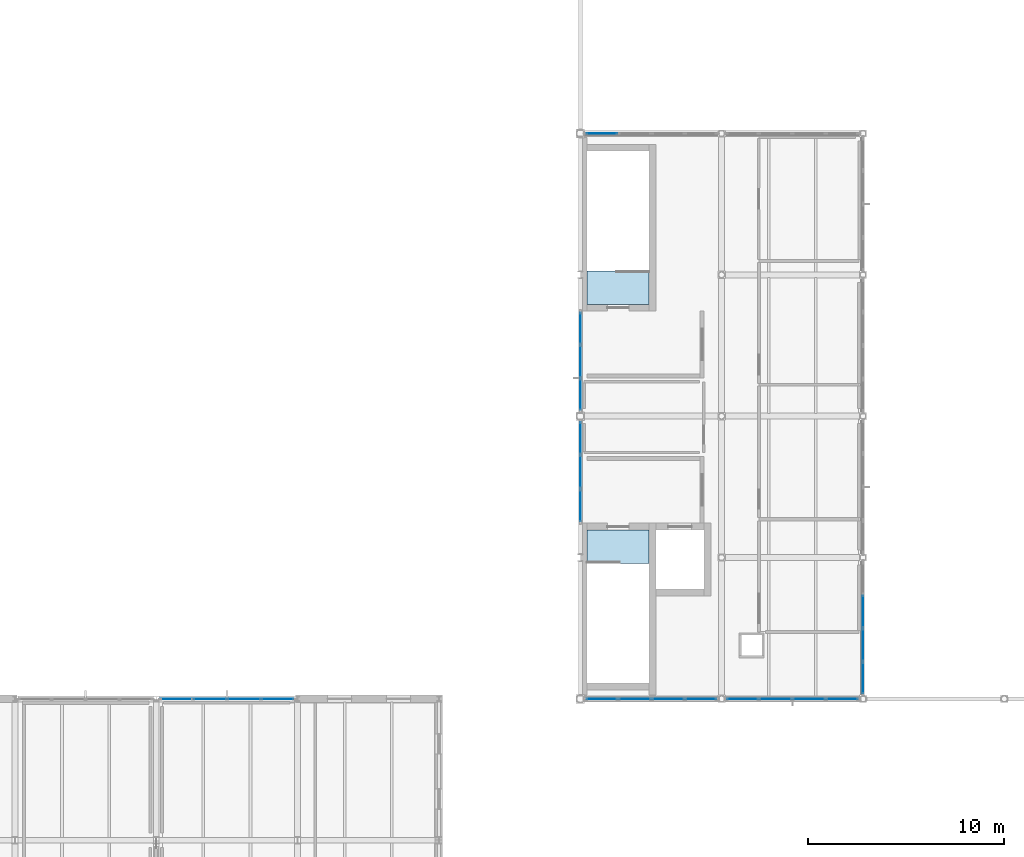
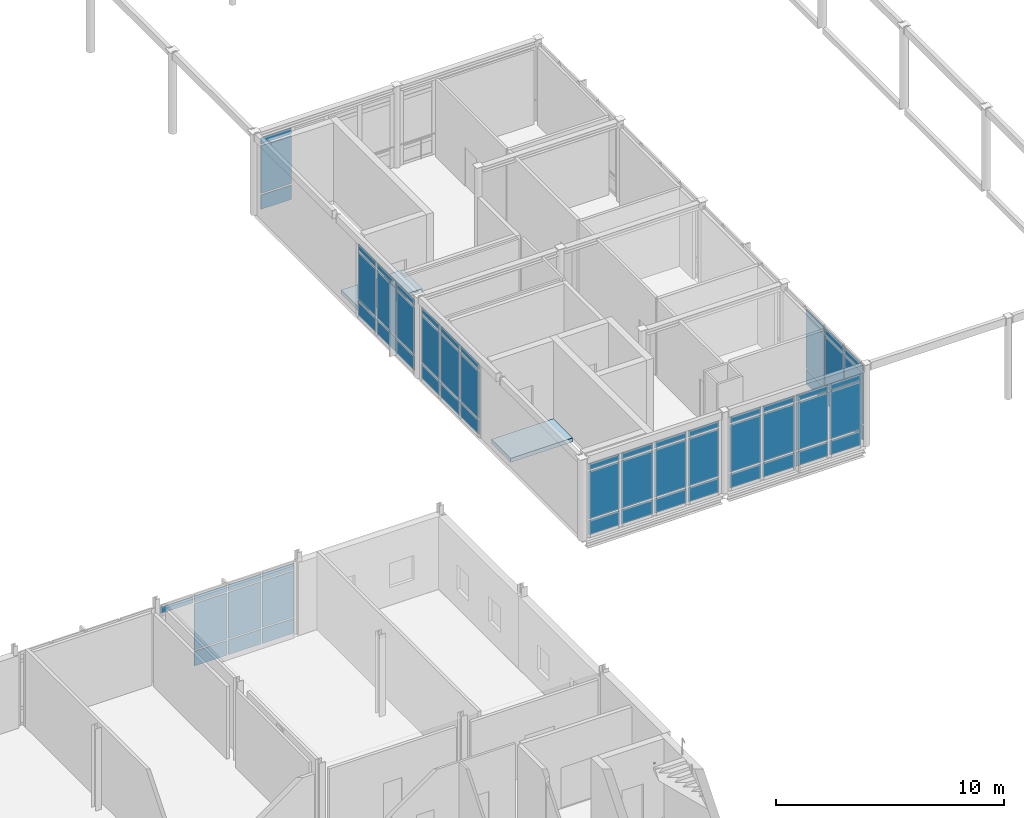
# One storey, part 37 of 72: 64 plates, 2 slabs, 7 elements without a shape of their own.
"""IFC4 building model written with IfcOpenShell, lengths in metres."""

from ifc_helpers import new_model, si_unit, direction, frame, origin, origin_2d, place, context, subcontext, project, spatial, polyline, rectangle, outline, extrude, material, layer, layer_set, type_object, element, aggregate, save


model = new_model("IFC4")

# Units and contexts
model_context = context("Model", 3, precision=1e-05, world=origin(), true_north=direction((0.0, 1.0)))
body_context = subcontext(model_context, "Body", "Model", "MODEL_VIEW")
ifc_project = project(units=[si_unit("LENGTHUNIT", "METRE"), si_unit("AREAUNIT", "SQUARE_METRE"), si_unit("VOLUMEUNIT", "CUBIC_METRE"), si_unit("PLANEANGLEUNIT", "RADIAN"), si_unit("MASSUNIT", "GRAM", prefix="KILO")], contexts=[model_context])

# Site, building, storey
site_placement = place(None, origin())
site = spatial("IfcSite", under=ifc_project, at=site_placement, CompositionType="ELEMENT")
building_placement = place(site_placement, origin())
building = spatial("IfcBuilding", under=site, at=building_placement, Name="Zarrinpeak Specialist Clinic", CompositionType="ELEMENT")
storey_placement = place(building_placement, frame((0.0, 0.0, 9.60009765625)))
storey = spatial("IfcBuildingStorey", under=building, at=storey_placement, Name="L02", CompositionType="ELEMENT", Elevation=9.60009765625)

# Curtain wall, plates
ifc_material_1 = material(Name="Anodised Aluminium Alloy 6063-T6", Category="aluminium")
ifc_layer_1 = layer(ifc_material_1, 0.199951171875)
ifc_layer_set_1 = layer_set([ifc_layer_1], Name="Anodised Aluminium Alloy 6063-T6")
curtain_wall_type_1 = type_object("IfcCurtainWallType", Name="CW-HALL", PredefinedType="NOTDEFINED", material=ifc_layer_set_1)
curtain_wall_1_placement = place(storey_placement, origin())
curtain_wall_1 = element("IfcCurtainWall", 1, at=curtain_wall_1_placement, inside=storey, type_object=curtain_wall_type_1, Name="L02 V3 Unitised Curtain Wall CW-L02-V3-111", PredefinedType="NOTDEFINED")
ifc_material_2 = material(Name="Double Low-E Insulated Glazing", Category="glass")
ifc_layer_2 = layer(ifc_material_2, 0.028076171875)
ifc_layer_set_2 = layer_set([ifc_layer_2], Name="Double Low-E Insulated Glazing")
plate_type_1 = type_object("IfcPlateType", Name="CWP-GLZ28", PredefinedType="CURTAIN_PANEL", material=ifc_layer_set_2)
plate_1_placement = place(storey_placement, frame((94.69873046875, 28.800048828125, 0.08984375), z_axis=(0.0, 0.0, 1.0), x_axis=(1.0, 0.0, 0.0)))
plate_1 = element("IfcPlate", 2, at=plate_1_placement, type_object=plate_type_1, Name="CW-02 panel 1.1", PredefinedType="CURTAIN_PANEL", context=body_context, shape_type="SweptSolid", body=[
    extrude(rectangle(XDim=1.561279296875, YDim=0.028076171875, at=origin_2d()), origin(), (0.0, 0.0, 1.0), 0.764892578125),
])
plate_2_placement = place(storey_placement, frame((94.69873046875, 28.800048828125, 0.94482421875), z_axis=(0.0, 0.0, 1.0), x_axis=(1.0, 0.0, 0.0)))
plate_2 = element("IfcPlate", 3, at=plate_2_placement, type_object=plate_type_1, Name="CW-02 panel 1.2", PredefinedType="CURTAIN_PANEL", context=body_context, shape_type="SweptSolid", body=[
    extrude(rectangle(XDim=1.561279296875, YDim=0.028076171875, at=origin_2d()), origin(), (0.0, 0.0, 1.0), 2.544921875),
])
plate_3_placement = place(storey_placement, frame((94.69873046875, 28.800048828125, 3.579833984375), z_axis=(0.0, 0.0, 1.0), x_axis=(1.0, 0.0, 0.0)))
plate_3 = element("IfcPlate", 4, at=plate_3_placement, type_object=plate_type_1, Name="CW-02 panel 1.3", PredefinedType="CURTAIN_PANEL", context=body_context, shape_type="SweptSolid", body=[
    extrude(rectangle(XDim=1.561279296875, YDim=0.028076171875, at=origin_2d()), origin(), (0.0, 0.0, 1.0), 0.31494140625),
])
plate_4_placement = place(storey_placement, frame((96.37255859375, 28.800048828125, 0.08984375), z_axis=(0.0, 0.0, 1.0), x_axis=(1.0, 0.0, 0.0)))
plate_4 = element("IfcPlate", 5, at=plate_4_placement, type_object=plate_type_1, Name="CW-02 panel 2.1", PredefinedType="CURTAIN_PANEL", context=body_context, shape_type="SweptSolid", body=[
    extrude(rectangle(XDim=1.606201171875, YDim=0.028076171875, at=origin_2d()), origin(), (0.0, 0.0, 1.0), 0.764892578125),
])
plate_5_placement = place(storey_placement, frame((96.37255859375, 28.800048828125, 0.94482421875), z_axis=(0.0, 0.0, 1.0), x_axis=(1.0, 0.0, 0.0)))
plate_5 = element("IfcPlate", 6, at=plate_5_placement, type_object=plate_type_1, Name="CW-02 panel 2.2", PredefinedType="CURTAIN_PANEL", context=body_context, shape_type="SweptSolid", body=[
    extrude(rectangle(XDim=1.606201171875, YDim=0.028076171875, at=origin_2d()), origin(), (0.0, 0.0, 1.0), 2.544921875),
])
plate_6_placement = place(storey_placement, frame((96.37255859375, 28.800048828125, 3.579833984375), z_axis=(0.0, 0.0, 1.0), x_axis=(1.0, 0.0, 0.0)))
plate_6 = element("IfcPlate", 7, at=plate_6_placement, type_object=plate_type_1, Name="CW-02 panel 2.3", PredefinedType="CURTAIN_PANEL", context=body_context, shape_type="SweptSolid", body=[
    extrude(rectangle(XDim=1.606201171875, YDim=0.028076171875, at=origin_2d()), origin(), (0.0, 0.0, 1.0), 0.31494140625),
])
plate_7_placement = place(storey_placement, frame((98.06884765625, 28.800048828125, 0.08984375), z_axis=(0.0, 0.0, 1.0), x_axis=(1.0, 0.0, 0.0)))
plate_7 = element("IfcPlate", 8, at=plate_7_placement, type_object=plate_type_1, Name="CW-02 panel 3.1", PredefinedType="CURTAIN_PANEL", context=body_context, shape_type="SweptSolid", body=[
    extrude(rectangle(XDim=1.606201171875, YDim=0.028076171875, at=origin_2d()), origin(), (0.0, 0.0, 1.0), 0.764892578125),
])
plate_8_placement = place(storey_placement, frame((98.06884765625, 28.800048828125, 0.94482421875), z_axis=(0.0, 0.0, 1.0), x_axis=(1.0, 0.0, 0.0)))
plate_8 = element("IfcPlate", 9, at=plate_8_placement, type_object=plate_type_1, Name="CW-02 panel 3.2", PredefinedType="CURTAIN_PANEL", context=body_context, shape_type="SweptSolid", body=[
    extrude(rectangle(XDim=1.606201171875, YDim=0.028076171875, at=origin_2d()), origin(), (0.0, 0.0, 1.0), 2.544921875),
])
plate_9_placement = place(storey_placement, frame((98.06884765625, 28.800048828125, 3.579833984375), z_axis=(0.0, 0.0, 1.0), x_axis=(1.0, 0.0, 0.0)))
plate_9 = element("IfcPlate", 10, at=plate_9_placement, type_object=plate_type_1, Name="CW-02 panel 3.3", PredefinedType="CURTAIN_PANEL", context=body_context, shape_type="SweptSolid", body=[
    extrude(rectangle(XDim=1.606201171875, YDim=0.028076171875, at=origin_2d()), origin(), (0.0, 0.0, 1.0), 0.31494140625),
])
plate_10_placement = place(storey_placement, frame((99.742431640625, 28.800048828125, 0.08984375), z_axis=(0.0, 0.0, 1.0), x_axis=(1.0, 0.0, 0.0)))
plate_10 = element("IfcPlate", 11, at=plate_10_placement, type_object=plate_type_1, Name="CW-02 panel 4.1", PredefinedType="CURTAIN_PANEL", context=body_context, shape_type="SweptSolid", body=[
    extrude(rectangle(XDim=1.561279296875, YDim=0.028076171875, at=origin_2d()), origin(), (0.0, 0.0, 1.0), 0.764892578125),
])
plate_11_placement = place(storey_placement, frame((99.742431640625, 28.800048828125, 0.94482421875), z_axis=(0.0, 0.0, 1.0), x_axis=(1.0, 0.0, 0.0)))
plate_11 = element("IfcPlate", 12, at=plate_11_placement, type_object=plate_type_1, Name="CW-02 panel 4.2", PredefinedType="CURTAIN_PANEL", context=body_context, shape_type="SweptSolid", body=[
    extrude(rectangle(XDim=1.561279296875, YDim=0.028076171875, at=origin_2d()), origin(), (0.0, 0.0, 1.0), 2.544921875),
])
plate_12_placement = place(storey_placement, frame((99.742431640625, 28.800048828125, 3.579833984375), z_axis=(0.0, 0.0, 1.0), x_axis=(1.0, 0.0, 0.0)))
plate_12 = element("IfcPlate", 13, at=plate_12_placement, type_object=plate_type_1, Name="CW-02 panel 4.3", PredefinedType="CURTAIN_PANEL", context=body_context, shape_type="SweptSolid", body=[
    extrude(rectangle(XDim=1.561279296875, YDim=0.028076171875, at=origin_2d()), origin(), (0.0, 0.0, 1.0), 0.31494140625),
])
aggregate(curtain_wall_1, [plate_1, plate_2, plate_3, plate_4, plate_5, plate_6, plate_7, plate_8, plate_9, plate_10, plate_11, plate_12])

curtain_wall_2_placement = place(storey_placement, origin())
curtain_wall_2 = element("IfcCurtainWall", 14, at=curtain_wall_2_placement, inside=storey, type_object=curtain_wall_type_1, Name="L02 V3 Unitised Curtain Wall CW-L02-V3-112", PredefinedType="NOTDEFINED")
plate_13_placement = place(storey_placement, frame((101.86279296875, 28.800048828125, 0.08984375), z_axis=(0.0, 0.0, 1.0), x_axis=(1.0, 0.0, 0.0)))
plate_13 = element("IfcPlate", 15, at=plate_13_placement, type_object=plate_type_1, Name="CW-02 panel 1.1", PredefinedType="CURTAIN_PANEL", context=body_context, shape_type="SweptSolid", body=[
    extrude(rectangle(XDim=1.571533203125, YDim=0.028076171875, at=origin_2d()), origin(), (0.0, 0.0, 1.0), 0.764892578125),
])
plate_14_placement = place(storey_placement, frame((101.86279296875, 28.800048828125, 0.94482421875), z_axis=(0.0, 0.0, 1.0), x_axis=(1.0, 0.0, 0.0)))
plate_14 = element("IfcPlate", 16, at=plate_14_placement, type_object=plate_type_1, Name="CW-02 panel 1.2", PredefinedType="CURTAIN_PANEL", context=body_context, shape_type="SweptSolid", body=[
    extrude(rectangle(XDim=1.571533203125, YDim=0.028076171875, at=origin_2d()), origin(), (0.0, 0.0, 1.0), 2.544921875),
])
plate_15_placement = place(storey_placement, frame((101.86279296875, 28.800048828125, 3.579833984375), z_axis=(0.0, 0.0, 1.0), x_axis=(1.0, 0.0, 0.0)))
plate_15 = element("IfcPlate", 17, at=plate_15_placement, type_object=plate_type_1, Name="CW-02 panel 1.3", PredefinedType="CURTAIN_PANEL", context=body_context, shape_type="SweptSolid", body=[
    extrude(rectangle(XDim=1.571533203125, YDim=0.028076171875, at=origin_2d()), origin(), (0.0, 0.0, 1.0), 0.31494140625),
])
plate_16_placement = place(storey_placement, frame((103.546630859375, 28.800048828125, 0.08984375), z_axis=(0.0, 0.0, 1.0), x_axis=(1.0, 0.0, 0.0)))
plate_16 = element("IfcPlate", 18, at=plate_16_placement, type_object=plate_type_1, Name="CW-02 panel 2.1", PredefinedType="CURTAIN_PANEL", context=body_context, shape_type="SweptSolid", body=[
    extrude(rectangle(XDim=1.616455078125, YDim=0.028076171875, at=origin_2d()), origin(), (0.0, 0.0, 1.0), 0.764892578125),
])
plate_17_placement = place(storey_placement, frame((103.546630859375, 28.800048828125, 0.94482421875), z_axis=(0.0, 0.0, 1.0), x_axis=(1.0, 0.0, 0.0)))
plate_17 = element("IfcPlate", 19, at=plate_17_placement, type_object=plate_type_1, Name="CW-02 panel 2.2", PredefinedType="CURTAIN_PANEL", context=body_context, shape_type="SweptSolid", body=[
    extrude(rectangle(XDim=1.616455078125, YDim=0.028076171875, at=origin_2d()), origin(), (0.0, 0.0, 1.0), 2.544921875),
])
plate_18_placement = place(storey_placement, frame((103.546630859375, 28.800048828125, 3.579833984375), z_axis=(0.0, 0.0, 1.0), x_axis=(1.0, 0.0, 0.0)))
plate_18 = element("IfcPlate", 20, at=plate_18_placement, type_object=plate_type_1, Name="CW-02 panel 2.3", PredefinedType="CURTAIN_PANEL", context=body_context, shape_type="SweptSolid", body=[
    extrude(rectangle(XDim=1.616455078125, YDim=0.028076171875, at=origin_2d()), origin(), (0.0, 0.0, 1.0), 0.31494140625),
])
plate_19_placement = place(storey_placement, frame((105.253173828125, 28.800048828125, 0.08984375), z_axis=(0.0, 0.0, 1.0), x_axis=(1.0, 0.0, 0.0)))
plate_19 = element("IfcPlate", 21, at=plate_19_placement, type_object=plate_type_1, Name="CW-02 panel 3.1", PredefinedType="CURTAIN_PANEL", context=body_context, shape_type="SweptSolid", body=[
    extrude(rectangle(XDim=1.616455078125, YDim=0.028076171875, at=origin_2d()), origin(), (0.0, 0.0, 1.0), 0.764892578125),
])
plate_20_placement = place(storey_placement, frame((105.253173828125, 28.800048828125, 0.94482421875), z_axis=(0.0, 0.0, 1.0), x_axis=(1.0, 0.0, 0.0)))
plate_20 = element("IfcPlate", 22, at=plate_20_placement, type_object=plate_type_1, Name="CW-02 panel 3.2", PredefinedType="CURTAIN_PANEL", context=body_context, shape_type="SweptSolid", body=[
    extrude(rectangle(XDim=1.616455078125, YDim=0.028076171875, at=origin_2d()), origin(), (0.0, 0.0, 1.0), 2.544921875),
])
plate_21_placement = place(storey_placement, frame((105.253173828125, 28.800048828125, 3.579833984375), z_axis=(0.0, 0.0, 1.0), x_axis=(1.0, 0.0, 0.0)))
plate_21 = element("IfcPlate", 23, at=plate_21_placement, type_object=plate_type_1, Name="CW-02 panel 3.3", PredefinedType="CURTAIN_PANEL", context=body_context, shape_type="SweptSolid", body=[
    extrude(rectangle(XDim=1.616455078125, YDim=0.028076171875, at=origin_2d()), origin(), (0.0, 0.0, 1.0), 0.31494140625),
])
plate_22_placement = place(storey_placement, frame((106.937255859375, 28.800048828125, 0.08984375), z_axis=(0.0, 0.0, 1.0), x_axis=(1.0, 0.0, 0.0)))
plate_22 = element("IfcPlate", 24, at=plate_22_placement, type_object=plate_type_1, Name="CW-02 panel 4.1", PredefinedType="CURTAIN_PANEL", context=body_context, shape_type="SweptSolid", body=[
    extrude(rectangle(XDim=1.571533203125, YDim=0.028076171875, at=origin_2d()), origin(), (0.0, 0.0, 1.0), 0.764892578125),
])
plate_23_placement = place(storey_placement, frame((106.937255859375, 28.800048828125, 0.94482421875), z_axis=(0.0, 0.0, 1.0), x_axis=(1.0, 0.0, 0.0)))
plate_23 = element("IfcPlate", 25, at=plate_23_placement, type_object=plate_type_1, Name="CW-02 panel 4.2", PredefinedType="CURTAIN_PANEL", context=body_context, shape_type="SweptSolid", body=[
    extrude(rectangle(XDim=1.571533203125, YDim=0.028076171875, at=origin_2d()), origin(), (0.0, 0.0, 1.0), 2.544921875),
])
plate_24_placement = place(storey_placement, frame((106.937255859375, 28.800048828125, 3.579833984375), z_axis=(0.0, 0.0, 1.0), x_axis=(1.0, 0.0, 0.0)))
plate_24 = element("IfcPlate", 26, at=plate_24_placement, type_object=plate_type_1, Name="CW-02 panel 4.3", PredefinedType="CURTAIN_PANEL", context=body_context, shape_type="SweptSolid", body=[
    extrude(rectangle(XDim=1.571533203125, YDim=0.028076171875, at=origin_2d()), origin(), (0.0, 0.0, 1.0), 0.31494140625),
])
aggregate(curtain_wall_2, [plate_13, plate_14, plate_15, plate_16, plate_17, plate_18, plate_19, plate_20, plate_21, plate_22, plate_23, plate_24])

curtain_wall_3_placement = place(storey_placement, origin())
curtain_wall_3 = element("IfcCurtainWall", 27, at=curtain_wall_3_placement, inside=storey, type_object=curtain_wall_type_1, Name="L02 V3 Unitised Curtain Wall CW-L02-V3-113", PredefinedType="NOTDEFINED")
plate_25_placement = place(storey_placement, frame((94.69873046875, 57.60009765625, 0.08984375), z_axis=(0.0, 0.0, 1.0), x_axis=(-1.0, 0.0, 0.0)))
plate_25 = element("IfcPlate", 28, at=plate_25_placement, type_object=plate_type_1, Name="CW-02 panel 4.1", PredefinedType="CURTAIN_PANEL", context=body_context, shape_type="SweptSolid", body=[
    extrude(rectangle(XDim=1.561279296875, YDim=0.028076171875, at=origin_2d()), origin(), (0.0, 0.0, 1.0), 0.764892578125),
])
plate_26_placement = place(storey_placement, frame((94.69873046875, 57.60009765625, 0.94482421875), z_axis=(0.0, 0.0, 1.0), x_axis=(-1.0, 0.0, 0.0)))
plate_26 = element("IfcPlate", 29, at=plate_26_placement, type_object=plate_type_1, Name="CW-02 panel 4.2", PredefinedType="CURTAIN_PANEL", context=body_context, shape_type="SweptSolid", body=[
    extrude(rectangle(XDim=1.561279296875, YDim=0.028076171875, at=origin_2d()), origin(), (0.0, 0.0, 1.0), 2.56494140625),
])
plate_27_placement = place(storey_placement, frame((94.69873046875, 57.60009765625, 3.599853515625), z_axis=(0.0, 0.0, 1.0), x_axis=(-1.0, 0.0, 0.0)))
plate_27 = element("IfcPlate", 30, at=plate_27_placement, type_object=plate_type_1, Name="CW-02 panel 4.3", PredefinedType="CURTAIN_PANEL", context=body_context, shape_type="SweptSolid", body=[
    extrude(rectangle(XDim=1.561279296875, YDim=0.028076171875, at=origin_2d()), origin(), (0.0, 0.0, 1.0), 0.31494140625),
])
aggregate(curtain_wall_3, [plate_25, plate_26, plate_27])

curtain_wall_4_placement = place(storey_placement, origin())
curtain_wall_4 = element("IfcCurtainWall", 31, at=curtain_wall_4_placement, inside=storey, type_object=curtain_wall_type_1, Name="L02 V3 Unitised Curtain Wall CW-L02-V3-115", PredefinedType="NOTDEFINED")
plate_28_placement = place(storey_placement, frame((93.60009765625, 42.0791015625, 0.08984375), z_axis=(0.0, 0.0, 1.0), x_axis=(0.0, -1.0, 0.0)))
plate_28 = element("IfcPlate", 32, at=plate_28_placement, type_object=plate_type_1, Name="CW-02 panel 1.1", PredefinedType="CURTAIN_PANEL", context=body_context, shape_type="SweptSolid", body=[
    extrude(rectangle(XDim=1.605712890625, YDim=0.028076171875, at=origin_2d()), origin(), (0.0, 0.0, 1.0), 0.764892578125),
])
plate_29_placement = place(storey_placement, frame((93.60009765625, 42.0791015625, 0.94482421875), z_axis=(0.0, 0.0, 1.0), x_axis=(0.0, -1.0, 0.0)))
plate_29 = element("IfcPlate", 33, at=plate_29_placement, type_object=plate_type_1, Name="CW-02 panel 1.2", PredefinedType="CURTAIN_PANEL", context=body_context, shape_type="SweptSolid", body=[
    extrude(rectangle(XDim=1.605712890625, YDim=0.028076171875, at=origin_2d()), origin(), (0.0, 0.0, 1.0), 2.544921875),
])
plate_30_placement = place(storey_placement, frame((93.60009765625, 42.0791015625, 3.579833984375), z_axis=(0.0, 0.0, 1.0), x_axis=(0.0, -1.0, 0.0)))
plate_30 = element("IfcPlate", 34, at=plate_30_placement, type_object=plate_type_1, Name="CW-02 panel 1.3", PredefinedType="CURTAIN_PANEL", context=body_context, shape_type="SweptSolid", body=[
    extrude(rectangle(XDim=1.605712890625, YDim=0.028076171875, at=origin_2d()), origin(), (0.0, 0.0, 1.0), 0.31494140625),
])
plate_31_placement = place(storey_placement, frame((93.60009765625, 40.36083984375, 0.08984375), z_axis=(0.0, 0.0, 1.0), x_axis=(0.0, -1.0, 0.0)))
plate_31 = element("IfcPlate", 35, at=plate_31_placement, type_object=plate_type_1, Name="CW-02 panel 2.1", PredefinedType="CURTAIN_PANEL", context=body_context, shape_type="SweptSolid", body=[
    extrude(rectangle(XDim=1.650634765625, YDim=0.028076171875, at=origin_2d()), origin(), (0.0, 0.0, 1.0), 0.764892578125),
])
plate_32_placement = place(storey_placement, frame((93.60009765625, 40.36083984375, 0.94482421875), z_axis=(0.0, 0.0, 1.0), x_axis=(0.0, -1.0, 0.0)))
plate_32 = element("IfcPlate", 36, at=plate_32_placement, type_object=plate_type_1, Name="CW-02 panel 2.2", PredefinedType="CURTAIN_PANEL", context=body_context, shape_type="SweptSolid", body=[
    extrude(rectangle(XDim=1.650634765625, YDim=0.028076171875, at=origin_2d()), origin(), (0.0, 0.0, 1.0), 2.544921875),
])
plate_33_placement = place(storey_placement, frame((93.60009765625, 40.36083984375, 3.579833984375), z_axis=(0.0, 0.0, 1.0), x_axis=(0.0, -1.0, 0.0)))
plate_33 = element("IfcPlate", 37, at=plate_33_placement, type_object=plate_type_1, Name="CW-02 panel 2.3", PredefinedType="CURTAIN_PANEL", context=body_context, shape_type="SweptSolid", body=[
    extrude(rectangle(XDim=1.650634765625, YDim=0.028076171875, at=origin_2d()), origin(), (0.0, 0.0, 1.0), 0.31494140625),
])
plate_34_placement = place(storey_placement, frame((93.60009765625, 38.642822265625, 0.08984375), z_axis=(0.0, 0.0, 1.0), x_axis=(0.0, -1.0, 0.0)))
plate_34 = element("IfcPlate", 38, at=plate_34_placement, type_object=plate_type_1, Name="CW-02 panel 3.1", PredefinedType="CURTAIN_PANEL", context=body_context, shape_type="SweptSolid", body=[
    extrude(rectangle(XDim=1.605712890625, YDim=0.028076171875, at=origin_2d()), origin(), (0.0, 0.0, 1.0), 0.764892578125),
])
plate_35_placement = place(storey_placement, frame((93.60009765625, 38.642822265625, 0.94482421875), z_axis=(0.0, 0.0, 1.0), x_axis=(0.0, -1.0, 0.0)))
plate_35 = element("IfcPlate", 39, at=plate_35_placement, type_object=plate_type_1, Name="CW-02 panel 3.2", PredefinedType="CURTAIN_PANEL", context=body_context, shape_type="SweptSolid", body=[
    extrude(rectangle(XDim=1.605712890625, YDim=0.028076171875, at=origin_2d()), origin(), (0.0, 0.0, 1.0), 2.544921875),
])
plate_36_placement = place(storey_placement, frame((93.60009765625, 38.642822265625, 3.579833984375), z_axis=(0.0, 0.0, 1.0), x_axis=(0.0, -1.0, 0.0)))
plate_36 = element("IfcPlate", 40, at=plate_36_placement, type_object=plate_type_1, Name="CW-02 panel 3.3", PredefinedType="CURTAIN_PANEL", context=body_context, shape_type="SweptSolid", body=[
    extrude(rectangle(XDim=1.605712890625, YDim=0.028076171875, at=origin_2d()), origin(), (0.0, 0.0, 1.0), 0.31494140625),
])
aggregate(curtain_wall_4, [plate_28, plate_29, plate_30, plate_31, plate_32, plate_33, plate_34, plate_35, plate_36])

curtain_wall_5_placement = place(storey_placement, origin())
curtain_wall_5 = element("IfcCurtainWall", 41, at=curtain_wall_5_placement, inside=storey, type_object=curtain_wall_type_1, Name="L02 V3 Unitised Curtain Wall CW-L02-V3-116", PredefinedType="NOTDEFINED")
plate_37_placement = place(storey_placement, frame((93.60009765625, 47.673828125, 0.08984375), z_axis=(0.0, 0.0, 1.0), x_axis=(0.0, -1.0, 0.0)))
plate_37 = element("IfcPlate", 42, at=plate_37_placement, type_object=plate_type_1, Name="CW-02 panel 1.1", PredefinedType="CURTAIN_PANEL", context=body_context, shape_type="SweptSolid", body=[
    extrude(rectangle(XDim=1.572265625, YDim=0.028076171875, at=origin_2d()), origin(), (0.0, 0.0, 1.0), 0.764892578125),
])
plate_38_placement = place(storey_placement, frame((93.60009765625, 47.673828125, 0.94482421875), z_axis=(0.0, 0.0, 1.0), x_axis=(0.0, -1.0, 0.0)))
plate_38 = element("IfcPlate", 43, at=plate_38_placement, type_object=plate_type_1, Name="CW-02 panel 1.2", PredefinedType="CURTAIN_PANEL", context=body_context, shape_type="SweptSolid", body=[
    extrude(rectangle(XDim=1.572265625, YDim=0.028076171875, at=origin_2d()), origin(), (0.0, 0.0, 1.0), 2.544921875),
])
plate_39_placement = place(storey_placement, frame((93.60009765625, 47.673828125, 3.579833984375), z_axis=(0.0, 0.0, 1.0), x_axis=(0.0, -1.0, 0.0)))
plate_39 = element("IfcPlate", 44, at=plate_39_placement, type_object=plate_type_1, Name="CW-02 panel 1.3", PredefinedType="CURTAIN_PANEL", context=body_context, shape_type="SweptSolid", body=[
    extrude(rectangle(XDim=1.572265625, YDim=0.028076171875, at=origin_2d()), origin(), (0.0, 0.0, 1.0), 0.31494140625),
])
plate_40_placement = place(storey_placement, frame((93.60009765625, 45.989013671875, 0.08984375), z_axis=(0.0, 0.0, 1.0), x_axis=(0.0, -1.0, 0.0)))
plate_40 = element("IfcPlate", 45, at=plate_40_placement, type_object=plate_type_1, Name="CW-02 panel 2.1", PredefinedType="CURTAIN_PANEL", context=body_context, shape_type="SweptSolid", body=[
    extrude(rectangle(XDim=1.6171875, YDim=0.028076171875, at=origin_2d()), origin(), (0.0, 0.0, 1.0), 0.764892578125),
])
plate_41_placement = place(storey_placement, frame((93.60009765625, 45.989013671875, 0.94482421875), z_axis=(0.0, 0.0, 1.0), x_axis=(0.0, -1.0, 0.0)))
plate_41 = element("IfcPlate", 46, at=plate_41_placement, type_object=plate_type_1, Name="CW-02 panel 2.2", PredefinedType="CURTAIN_PANEL", context=body_context, shape_type="SweptSolid", body=[
    extrude(rectangle(XDim=1.6171875, YDim=0.028076171875, at=origin_2d()), origin(), (0.0, 0.0, 1.0), 2.544921875),
])
plate_42_placement = place(storey_placement, frame((93.60009765625, 45.989013671875, 3.579833984375), z_axis=(0.0, 0.0, 1.0), x_axis=(0.0, -1.0, 0.0)))
plate_42 = element("IfcPlate", 47, at=plate_42_placement, type_object=plate_type_1, Name="CW-02 panel 2.3", PredefinedType="CURTAIN_PANEL", context=body_context, shape_type="SweptSolid", body=[
    extrude(rectangle(XDim=1.6171875, YDim=0.028076171875, at=origin_2d()), origin(), (0.0, 0.0, 1.0), 0.31494140625),
])
plate_43_placement = place(storey_placement, frame((93.60009765625, 44.304443359375, 0.08984375), z_axis=(0.0, 0.0, 1.0), x_axis=(0.0, -1.0, 0.0)))
plate_43 = element("IfcPlate", 48, at=plate_43_placement, type_object=plate_type_1, Name="CW-02 panel 3.1", PredefinedType="CURTAIN_PANEL", context=body_context, shape_type="SweptSolid", body=[
    extrude(rectangle(XDim=1.572265625, YDim=0.028076171875, at=origin_2d()), origin(), (0.0, 0.0, 1.0), 0.764892578125),
])
plate_44_placement = place(storey_placement, frame((93.60009765625, 44.304443359375, 0.94482421875), z_axis=(0.0, 0.0, 1.0), x_axis=(0.0, -1.0, 0.0)))
plate_44 = element("IfcPlate", 49, at=plate_44_placement, type_object=plate_type_1, Name="CW-02 panel 3.2", PredefinedType="CURTAIN_PANEL", context=body_context, shape_type="SweptSolid", body=[
    extrude(rectangle(XDim=1.572265625, YDim=0.028076171875, at=origin_2d()), origin(), (0.0, 0.0, 1.0), 2.544921875),
])
plate_45_placement = place(storey_placement, frame((93.60009765625, 44.304443359375, 3.579833984375), z_axis=(0.0, 0.0, 1.0), x_axis=(0.0, -1.0, 0.0)))
plate_45 = element("IfcPlate", 50, at=plate_45_placement, type_object=plate_type_1, Name="CW-02 panel 3.3", PredefinedType="CURTAIN_PANEL", context=body_context, shape_type="SweptSolid", body=[
    extrude(rectangle(XDim=1.572265625, YDim=0.028076171875, at=origin_2d()), origin(), (0.0, 0.0, 1.0), 0.31494140625),
])
aggregate(curtain_wall_5, [plate_37, plate_38, plate_39, plate_40, plate_41, plate_42, plate_43, plate_44, plate_45])

ifc_layer_3 = layer(ifc_material_1, 0.179931640625)
ifc_layer_set_3 = layer_set([ifc_layer_3], Name="Anodised Aluminium Alloy 6063-T6")
curtain_wall_type_2 = type_object("IfcCurtainWallType", Name="CW-COURT", PredefinedType="NOTDEFINED", material=ifc_layer_set_3)
curtain_wall_6_placement = place(storey_placement, origin())
curtain_wall_6 = element("IfcCurtainWall", 51, at=curtain_wall_6_placement, inside=storey, type_object=curtain_wall_type_2, Name="L02 V4 Unitised Curtain Wall CW-L02-V4-074", PredefinedType="NOTDEFINED")
ifc_material_3 = material(Name="Triple Acoustic Low-E Glazing", Category="glass")
ifc_layer_4 = layer(ifc_material_3, 0.035888671875)
ifc_layer_set_4 = layer_set([ifc_layer_4], Name="Triple Acoustic Low-E Glazing")
plate_type_2 = type_object("IfcPlateType", Name="CWP-GLZ36", PredefinedType="CURTAIN_PANEL", material=ifc_layer_set_4)
plate_46_placement = place(storey_placement, frame((78.172607421875, 28.800048828125, 0.074951171875), z_axis=(0.0, 0.0, 1.0), x_axis=(-1.0, 0.0, 0.0)))
plate_46 = element("IfcPlate", 52, at=plate_46_placement, type_object=plate_type_2, Name="CW-01 panel 1.1", PredefinedType="CURTAIN_PANEL", context=body_context, shape_type="SweptSolid", body=[
    extrude(rectangle(XDim=1.614990234375, YDim=0.035888671875, at=origin_2d()), origin(), (0.0, 0.0, 1.0), 0.78759765625),
])
plate_47_placement = place(storey_placement, frame((78.172607421875, 28.800048828125, 0.937255859375), z_axis=(0.0, 0.0, 1.0), x_axis=(-1.0, 0.0, 0.0)))
plate_47 = element("IfcPlate", 53, at=plate_47_placement, type_object=plate_type_2, Name="CW-01 panel 1.2", PredefinedType="CURTAIN_PANEL", context=body_context, shape_type="SweptSolid", body=[
    extrude(rectangle(XDim=1.614990234375, YDim=0.035888671875, at=origin_2d()), origin(), (0.0, 0.0, 1.0), 2.47509765625),
])
plate_48_placement = place(storey_placement, frame((78.172607421875, 28.800048828125, 3.487548828125), z_axis=(0.0, 0.0, 1.0), x_axis=(-1.0, 0.0, 0.0)))
plate_48 = element("IfcPlate", 54, at=plate_48_placement, type_object=plate_type_2, Name="CW-01 panel 1.3", PredefinedType="CURTAIN_PANEL", context=body_context, shape_type="SweptSolid", body=[
    extrude(rectangle(XDim=1.614990234375, YDim=0.035888671875, at=origin_2d()), origin(), (0.0, 0.0, 1.0), 0.33740234375),
])
plate_49_placement = place(storey_placement, frame((76.4638671875, 28.800048828125, 0.074951171875), z_axis=(0.0, 0.0, 1.0), x_axis=(-1.0, 0.0, 0.0)))
plate_49 = element("IfcPlate", 55, at=plate_49_placement, type_object=plate_type_2, Name="CW-01 panel 2.1", PredefinedType="CURTAIN_PANEL", context=body_context, shape_type="SweptSolid", body=[
    extrude(rectangle(XDim=1.652587890625, YDim=0.035888671875, at=origin_2d()), origin(), (0.0, 0.0, 1.0), 0.78759765625),
])
plate_50_placement = place(storey_placement, frame((76.4638671875, 28.800048828125, 0.937255859375), z_axis=(0.0, 0.0, 1.0), x_axis=(-1.0, 0.0, 0.0)))
plate_50 = element("IfcPlate", 56, at=plate_50_placement, type_object=plate_type_2, Name="CW-01 panel 2.2", PredefinedType="CURTAIN_PANEL", context=body_context, shape_type="SweptSolid", body=[
    extrude(rectangle(XDim=1.652587890625, YDim=0.035888671875, at=origin_2d()), origin(), (0.0, 0.0, 1.0), 2.47509765625),
])
plate_51_placement = place(storey_placement, frame((76.4638671875, 28.800048828125, 3.487548828125), z_axis=(0.0, 0.0, 1.0), x_axis=(-1.0, 0.0, 0.0)))
plate_51 = element("IfcPlate", 57, at=plate_51_placement, type_object=plate_type_2, Name="CW-01 panel 2.3", PredefinedType="CURTAIN_PANEL", context=body_context, shape_type="SweptSolid", body=[
    extrude(rectangle(XDim=1.652587890625, YDim=0.035888671875, at=origin_2d()), origin(), (0.0, 0.0, 1.0), 0.33740234375),
])
plate_52_placement = place(storey_placement, frame((74.736328125, 28.800048828125, 0.074951171875), z_axis=(0.0, 0.0, 1.0), x_axis=(-1.0, 0.0, 0.0)))
plate_52 = element("IfcPlate", 58, at=plate_52_placement, type_object=plate_type_2, Name="CW-01 panel 3.1", PredefinedType="CURTAIN_PANEL", context=body_context, shape_type="SweptSolid", body=[
    extrude(rectangle(XDim=1.652587890625, YDim=0.035888671875, at=origin_2d()), origin(), (0.0, 0.0, 1.0), 0.78759765625),
])
plate_53_placement = place(storey_placement, frame((74.736328125, 28.800048828125, 0.937255859375), z_axis=(0.0, 0.0, 1.0), x_axis=(-1.0, 0.0, 0.0)))
plate_53 = element("IfcPlate", 59, at=plate_53_placement, type_object=plate_type_2, Name="CW-01 panel 3.2", PredefinedType="CURTAIN_PANEL", context=body_context, shape_type="SweptSolid", body=[
    extrude(rectangle(XDim=1.652587890625, YDim=0.035888671875, at=origin_2d()), origin(), (0.0, 0.0, 1.0), 2.47509765625),
])
plate_54_placement = place(storey_placement, frame((74.736328125, 28.800048828125, 3.487548828125), z_axis=(0.0, 0.0, 1.0), x_axis=(-1.0, 0.0, 0.0)))
plate_54 = element("IfcPlate", 60, at=plate_54_placement, type_object=plate_type_2, Name="CW-01 panel 3.3", PredefinedType="CURTAIN_PANEL", context=body_context, shape_type="SweptSolid", body=[
    extrude(rectangle(XDim=1.652587890625, YDim=0.035888671875, at=origin_2d()), origin(), (0.0, 0.0, 1.0), 0.33740234375),
])
plate_55_placement = place(storey_placement, frame((73.027587890625, 28.800048828125, 3.487548828125), z_axis=(0.0, 0.0, 1.0), x_axis=(-1.0, 0.0, 0.0)))
plate_55 = element("IfcPlate", 61, at=plate_55_placement, type_object=plate_type_2, Name="CW-01 panel 4.3", PredefinedType="CURTAIN_PANEL", context=body_context, shape_type="SweptSolid", body=[
    extrude(rectangle(XDim=1.614990234375, YDim=0.035888671875, at=origin_2d()), origin(), (0.0, 0.0, 1.0), 0.33740234375),
])
aggregate(curtain_wall_6, [plate_46, plate_47, plate_48, plate_49, plate_50, plate_51, plate_52, plate_53, plate_54, plate_55])

curtain_wall_7_placement = place(storey_placement, origin())
curtain_wall_7 = element("IfcCurtainWall", 62, at=curtain_wall_7_placement, inside=storey, type_object=curtain_wall_type_1, Name="L02 V3 Unitised Curtain Wall CW-L02-V3-117", PredefinedType="NOTDEFINED")
ifc_material_4 = material(Name="Insulated Aluminium Spandrel Panel", Category="aluminium")
ifc_layer_5 = layer(ifc_material_4, 0.044921875)
ifc_layer_set_5 = layer_set([ifc_layer_5], Name="Insulated Aluminium Spandrel Panel")
plate_type_3 = type_object("IfcPlateType", Name="CWP-SPN45", PredefinedType="CURTAIN_PANEL", material=ifc_layer_set_5)
plate_56_placement = place(storey_placement, frame((108.0, 29.86279296875, 0.08984375), z_axis=(0.0, 0.0, 1.0), x_axis=(0.0, 1.0, 0.0)))
plate_56 = element("IfcPlate", 63, at=plate_56_placement, type_object=plate_type_3, Name="CW-02 panel 1.1", PredefinedType="CURTAIN_PANEL", context=body_context, shape_type="SweptSolid", body=[
    extrude(rectangle(XDim=1.571533203125, YDim=0.044921875, at=origin_2d()), origin(), (0.0, 0.0, 1.0), 0.764892578125),
])
plate_57_placement = place(storey_placement, frame((108.0, 29.86279296875, 0.94482421875), z_axis=(0.0, 0.0, 1.0), x_axis=(0.0, 1.0, 0.0)))
plate_57 = element("IfcPlate", 64, at=plate_57_placement, type_object=plate_type_3, Name="CW-02 panel 1.2", PredefinedType="CURTAIN_PANEL", context=body_context, shape_type="SweptSolid", body=[
    extrude(rectangle(XDim=1.571533203125, YDim=0.044921875, at=origin_2d()), origin(), (0.0, 0.0, 1.0), 2.739990234375),
])
plate_58_placement = place(storey_placement, frame((108.0, 29.86279296875, 3.77490234375), z_axis=(0.0, 0.0, 1.0), x_axis=(0.0, 1.0, 0.0)))
plate_58 = element("IfcPlate", 65, at=plate_58_placement, type_object=plate_type_3, Name="CW-02 panel 1.3", PredefinedType="CURTAIN_PANEL", context=body_context, shape_type="SweptSolid", body=[
    extrude(rectangle(XDim=1.571533203125, YDim=0.044921875, at=origin_2d()), origin(), (0.0, 0.0, 1.0), 0.31494140625),
])
plate_59_placement = place(storey_placement, frame((108.0, 31.546630859375, 0.08984375), z_axis=(0.0, 0.0, 1.0), x_axis=(0.0, 1.0, 0.0)))
plate_59 = element("IfcPlate", 66, at=plate_59_placement, type_object=plate_type_3, Name="CW-02 panel 2.1", PredefinedType="CURTAIN_PANEL", context=body_context, shape_type="SweptSolid", body=[
    extrude(rectangle(XDim=1.616455078125, YDim=0.044921875, at=origin_2d()), origin(), (0.0, 0.0, 1.0), 0.764892578125),
])
plate_60_placement = place(storey_placement, frame((108.0, 31.546630859375, 0.94482421875), z_axis=(0.0, 0.0, 1.0), x_axis=(0.0, 1.0, 0.0)))
plate_60 = element("IfcPlate", 67, at=plate_60_placement, type_object=plate_type_3, Name="CW-02 panel 2.2", PredefinedType="CURTAIN_PANEL", context=body_context, shape_type="SweptSolid", body=[
    extrude(rectangle(XDim=1.616455078125, YDim=0.044921875, at=origin_2d()), origin(), (0.0, 0.0, 1.0), 2.739990234375),
])
plate_61_placement = place(storey_placement, frame((108.0, 31.546630859375, 3.77490234375), z_axis=(0.0, 0.0, 1.0), x_axis=(0.0, 1.0, 0.0)))
plate_61 = element("IfcPlate", 68, at=plate_61_placement, type_object=plate_type_3, Name="CW-02 panel 2.3", PredefinedType="CURTAIN_PANEL", context=body_context, shape_type="SweptSolid", body=[
    extrude(rectangle(XDim=1.616455078125, YDim=0.044921875, at=origin_2d()), origin(), (0.0, 0.0, 1.0), 0.31494140625),
])
plate_62_placement = place(storey_placement, frame((108.0, 33.253173828125, 0.08984375), z_axis=(0.0, 0.0, 1.0), x_axis=(0.0, 1.0, 0.0)))
plate_62 = element("IfcPlate", 69, at=plate_62_placement, type_object=plate_type_3, Name="CW-02 panel 3.1", PredefinedType="CURTAIN_PANEL", context=body_context, shape_type="SweptSolid", body=[
    extrude(rectangle(XDim=1.616455078125, YDim=0.044921875, at=origin_2d()), origin(), (0.0, 0.0, 1.0), 0.764892578125),
])
plate_63_placement = place(storey_placement, frame((108.0, 33.253173828125, 0.94482421875), z_axis=(0.0, 0.0, 1.0), x_axis=(0.0, 1.0, 0.0)))
plate_63 = element("IfcPlate", 70, at=plate_63_placement, type_object=plate_type_3, Name="CW-02 panel 3.2", PredefinedType="CURTAIN_PANEL", context=body_context, shape_type="SweptSolid", body=[
    extrude(rectangle(XDim=1.616455078125, YDim=0.044921875, at=origin_2d()), origin(), (0.0, 0.0, 1.0), 2.739990234375),
])
plate_64_placement = place(storey_placement, frame((108.0, 33.253173828125, 3.77490234375), z_axis=(0.0, 0.0, 1.0), x_axis=(0.0, 1.0, 0.0)))
plate_64 = element("IfcPlate", 71, at=plate_64_placement, type_object=plate_type_3, Name="CW-02 panel 3.3", PredefinedType="CURTAIN_PANEL", context=body_context, shape_type="SweptSolid", body=[
    extrude(rectangle(XDim=1.616455078125, YDim=0.044921875, at=origin_2d()), origin(), (0.0, 0.0, 1.0), 0.31494140625),
])
aggregate(curtain_wall_7, [plate_56, plate_57, plate_58, plate_59, plate_60, plate_61, plate_62, plate_63, plate_64])

# Slabs
ifc_material_5 = material(Name="Concrete C35/45", Category="concrete")
ifc_layer_6 = layer(ifc_material_5, 0.215087890625)
ifc_layer_set_6 = layer_set([ifc_layer_6], Name="Concrete C35/45")
slab_type = type_object("IfcSlabType", Name="SL-FLR215", PredefinedType="FLOOR", material=ifc_layer_set_6)
slab_1_placement = place(storey_placement, frame((0.0, 0.0, -0.215087890625)))
element("IfcSlab", 72, at=slab_1_placement, inside=storey, type_object=slab_type, Name="L02 Core C05 Stairwell Floor Landing Slab", PredefinedType="FLOOR", context=body_context, shape_type="SweptSolid", body=[
    extrude(outline(polyline([(93.949951171875, 35.699951171875), (97.10009765625, 35.699951171875), (97.10009765625, 37.39990234375), (93.949951171875, 37.39990234375), (93.949951171875, 35.699951171875)])), origin(), (0.0, 0.0, 1.0), 0.215087890625),
])
slab_2_placement = place(storey_placement, frame((0.0, 0.0, -0.215087890625)))
element("IfcSlab", 73, at=slab_2_placement, inside=storey, type_object=slab_type, Name="L02 Core C06 Stairwell Floor Landing Slab", PredefinedType="FLOOR", context=body_context, shape_type="SweptSolid", body=[
    extrude(outline(polyline([(93.949951171875, 48.89990234375), (97.10009765625, 48.89990234375), (97.10009765625, 50.60009765625), (93.949951171875, 50.60009765625), (93.949951171875, 48.89990234375)])), origin(), (0.0, 0.0, 1.0), 0.215087890625),
])

save(model, "model.ifc")
